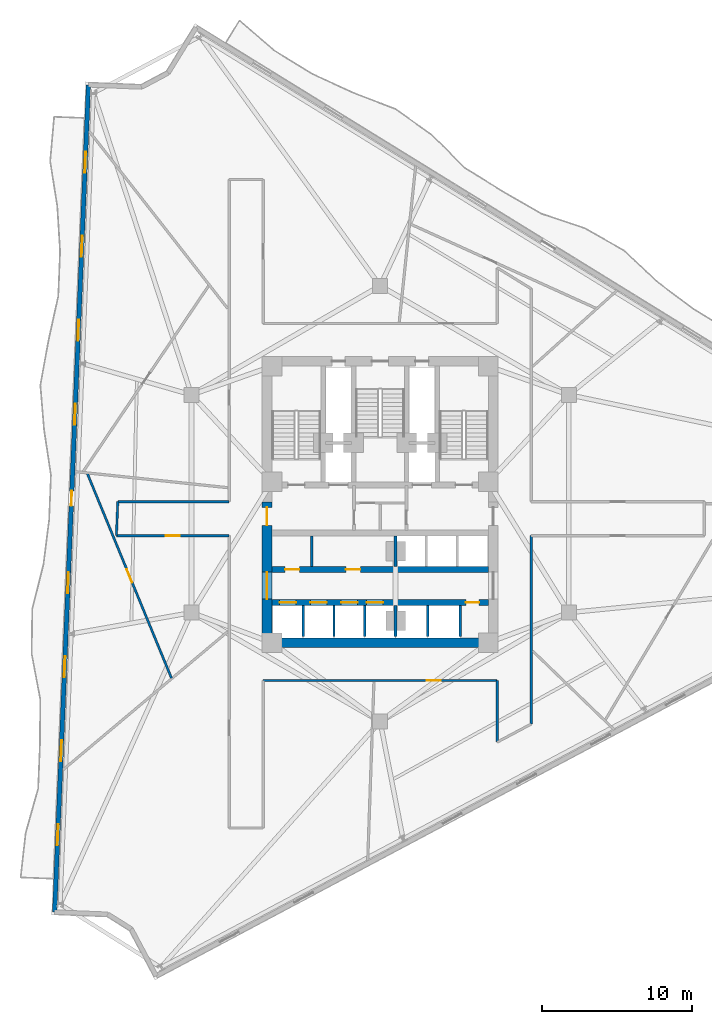
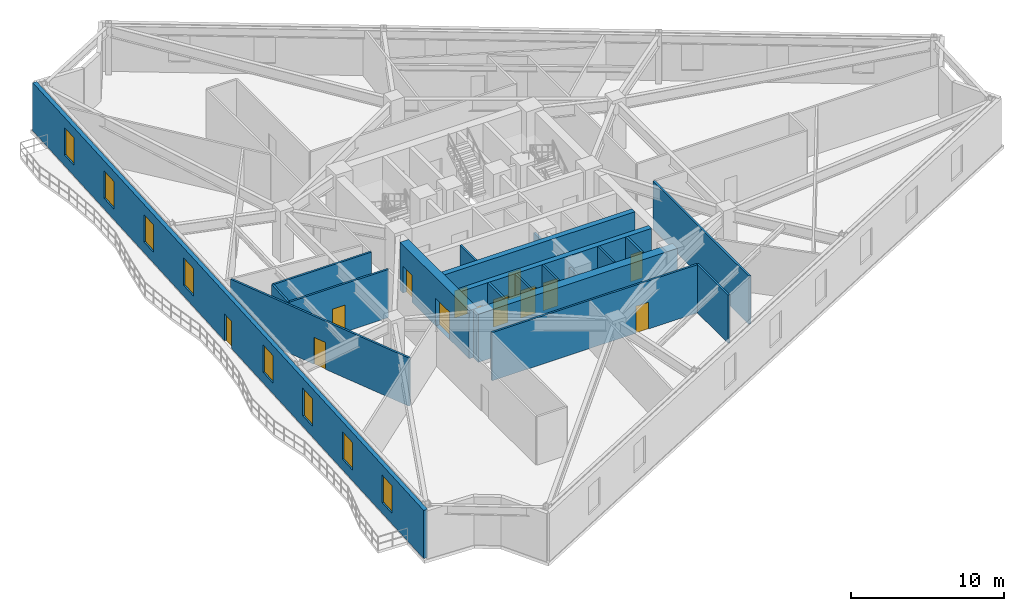
# One storey, part 5 of 10: 20 walls, 13 doors, 8 windows, 21 openings.
"""IFC4 building model written with IfcOpenShell, lengths in metres."""

from ifc_helpers import new_model, si_unit, direction, frame, frame_2d, origin, place, context, subcontext, project, spatial, rectangle, extrude, material, layer, layer_set, type_object, element, fill, save


model = new_model("IFC4")

# Units and contexts
model_context = context("Model", 3, precision=1e-05, world=origin(), true_north=direction((0.0, 1.0)))
body_context = subcontext(model_context, "Body", "Model", "MODEL_VIEW")
ifc_project = project(units=[si_unit("LENGTHUNIT", "METRE"), si_unit("AREAUNIT", "SQUARE_METRE"), si_unit("VOLUMEUNIT", "CUBIC_METRE"), si_unit("PLANEANGLEUNIT", "RADIAN"), si_unit("MASSUNIT", "GRAM", prefix="KILO")], contexts=[model_context])

# Site, building, storey
site_placement = place(None, origin())
site = spatial("IfcSite", under=ifc_project, at=site_placement, CompositionType="ELEMENT")
building_placement = place(site_placement, origin())
building = spatial("IfcBuilding", under=site, at=building_placement, Name="Apsidion Concourse Tower", CompositionType="ELEMENT")
storey_placement = place(building_placement, frame((0.0, 0.0, 177.800048828125)))
storey = spatial("IfcBuildingStorey", under=building, at=storey_placement, Name="L41", CompositionType="ELEMENT", Elevation=177.800048828125)

# Wall, openings, door, windows
ifc_material_1 = material(Name="Precast concrete C40/50", Category="concrete")
ifc_layer_1 = layer(ifc_material_1, 0.300048828125)
ifc_layer_set_1 = layer_set([ifc_layer_1], Name="Precast concrete C40/50")
wall_type_1 = type_object("IfcWallType", Name="WL-EXT-300", PredefinedType="STANDARD", material=ifc_layer_set_1)
wall_1_placement = place(storey_placement, frame((-21.66748046875, -27.184326171875, 0.0), z_axis=(0.0, 0.0, 1.0), x_axis=(0.040813869681, 0.999166766882, 0.0)))
wall_1 = element("IfcWall", 1, at=wall_1_placement, inside=storey, type_object=wall_type_1, Name="L41 Precast Stone Facade Wall 09", PredefinedType="STANDARD", context=body_context, shape_type="SweptSolid", body=[
    extrude(rectangle(XDim=55.1103515625, YDim=0.300048828125, at=frame_2d((27.55517578125, 0.0))), origin(), (0.0, 0.0, 1.0), 3.849853515625),
])
opening_1_placement = place(wall_1_placement, frame((27.055419921875, 0.0, 0.0)))
opening_1 = element("IfcOpeningElement", 2, at=opening_1_placement, cuts=wall_1, Name="Opening D-T1L", PredefinedType="OPENING", context=body_context, shape_type="SweptSolid", body=[
    extrude(rectangle(XDim=1.0, YDim=2.14990234375, at=frame_2d((0.5, 1.074951171875))), frame((0.0, 0.16015625, 0.0), z_axis=(0.0, -1.0, 0.0), x_axis=(1.0, 0.0, 0.0)), (0.0, 0.0, 1.0), 0.320068359375),
])
opening_2_placement = place(wall_1_placement, frame((4.455322265625, 0.0, 0.85009765625)))
opening_2 = element("IfcOpeningElement", 3, at=opening_2_placement, cuts=wall_1, Name="Opening WN-05", PredefinedType="OPENING", context=body_context, shape_type="SweptSolid", body=[
    extrude(rectangle(XDim=1.39990234375, YDim=2.199951171875, at=frame_2d((0.699951171875, 1.10009765625))), frame((0.0, 0.16015625, 0.0), z_axis=(0.0, -1.0, 0.0), x_axis=(1.0, 0.0, 0.0)), (0.0, 0.0, 1.0), 0.320068359375),
])
opening_3_placement = place(wall_1_placement, frame((10.055419921875, 0.0, 0.85009765625)))
opening_3 = element("IfcOpeningElement", 4, at=opening_3_placement, cuts=wall_1, Name="Opening WN-05", PredefinedType="OPENING", context=body_context, shape_type="SweptSolid", body=[
    extrude(rectangle(XDim=1.39990234375, YDim=2.199951171875, at=frame_2d((0.699951171875, 1.10009765625))), frame((0.0, 0.16015625, 0.0), z_axis=(0.0, -1.0, 0.0), x_axis=(1.0, 0.0, 0.0)), (0.0, 0.0, 1.0), 0.320068359375),
])
opening_4_placement = place(wall_1_placement, frame((15.6552734375, 0.0, 0.85009765625)))
opening_4 = element("IfcOpeningElement", 5, at=opening_4_placement, cuts=wall_1, Name="Opening WN-05", PredefinedType="OPENING", context=body_context, shape_type="SweptSolid", body=[
    extrude(rectangle(XDim=1.39990234375, YDim=2.199951171875, at=frame_2d((0.699951171875, 1.10009765625))), frame((0.0, 0.16015625, 0.0), z_axis=(0.0, -1.0, 0.0), x_axis=(1.0, 0.0, 0.0)), (0.0, 0.0, 1.0), 0.320068359375),
])
opening_5_placement = place(wall_1_placement, frame((21.25537109375, 0.0, 0.85009765625)))
opening_5 = element("IfcOpeningElement", 6, at=opening_5_placement, cuts=wall_1, Name="Opening WN-05", PredefinedType="OPENING", context=body_context, shape_type="SweptSolid", body=[
    extrude(rectangle(XDim=1.39990234375, YDim=2.199951171875, at=frame_2d((0.699951171875, 1.10009765625))), frame((0.0, 0.16015625, 0.0), z_axis=(0.0, -1.0, 0.0), x_axis=(1.0, 0.0, 0.0)), (0.0, 0.0, 1.0), 0.320068359375),
])
opening_6_placement = place(wall_1_placement, frame((32.455322265625, 0.0, 0.85009765625)))
opening_6 = element("IfcOpeningElement", 7, at=opening_6_placement, cuts=wall_1, Name="Opening WN-05", PredefinedType="OPENING", context=body_context, shape_type="SweptSolid", body=[
    extrude(rectangle(XDim=1.39990234375, YDim=2.199951171875, at=frame_2d((0.699951171875, 1.10009765625))), frame((0.0, 0.16015625, 0.0), z_axis=(0.0, -1.0, 0.0), x_axis=(1.0, 0.0, 0.0)), (0.0, 0.0, 1.0), 0.320068359375),
])
opening_7_placement = place(wall_1_placement, frame((38.055419921875, 0.0, 0.85009765625)))
opening_7 = element("IfcOpeningElement", 8, at=opening_7_placement, cuts=wall_1, Name="Opening WN-05", PredefinedType="OPENING", context=body_context, shape_type="SweptSolid", body=[
    extrude(rectangle(XDim=1.39990234375, YDim=2.199951171875, at=frame_2d((0.699951171875, 1.10009765625))), frame((0.0, 0.16015625, 0.0), z_axis=(0.0, -1.0, 0.0), x_axis=(1.0, 0.0, 0.0)), (0.0, 0.0, 1.0), 0.320068359375),
])
opening_8_placement = place(wall_1_placement, frame((43.6552734375, 0.0, 0.85009765625)))
opening_8 = element("IfcOpeningElement", 9, at=opening_8_placement, cuts=wall_1, Name="Opening WN-05", PredefinedType="OPENING", context=body_context, shape_type="SweptSolid", body=[
    extrude(rectangle(XDim=1.39990234375, YDim=2.199951171875, at=frame_2d((0.699951171875, 1.10009765625))), frame((0.0, 0.16015625, 0.0), z_axis=(0.0, -1.0, 0.0), x_axis=(1.0, 0.0, 0.0)), (0.0, 0.0, 1.0), 0.320068359375),
])
opening_9_placement = place(wall_1_placement, frame((49.25537109375, 0.0, 0.85009765625)))
opening_9 = element("IfcOpeningElement", 10, at=opening_9_placement, cuts=wall_1, Name="Opening WN-05", PredefinedType="OPENING", context=body_context, shape_type="SweptSolid", body=[
    extrude(rectangle(XDim=1.39990234375, YDim=2.199951171875, at=frame_2d((0.699951171875, 1.10009765625))), frame((0.0, 0.16015625, 0.0), z_axis=(0.0, -1.0, 0.0), x_axis=(1.0, 0.0, 0.0)), (0.0, 0.0, 1.0), 0.320068359375),
])
ifc_material_2 = material(Name="Anodised aluminium EN AW-6063 T6", Category="aluminium")
door_type_1 = type_object("IfcDoorType", Name="DR-TER-1022L", OperationType="SINGLE_SWING_LEFT", PredefinedType="DOOR", material=ifc_material_2)
door_1_placement = place(opening_1_placement, origin())
door_1 = element("IfcDoor", 11, at=door_1_placement, inside=storey, type_object=door_type_1, Name="L41 Balcony Access Door 2", OperationType="SINGLE_SWING_LEFT", OverallHeight=2.14990234375, OverallWidth=1.0, PredefinedType="DOOR", context=body_context, shape_type="SweptSolid", body=[
    extrude(rectangle(XDim=1.0, YDim=2.14990234375, at=frame_2d((0.5, 1.074951171875))), frame((0.0, 0.02490234375, 0.0), z_axis=(0.0, -1.0, 0.0), x_axis=(1.0, 0.0, 0.0)), (0.0, 0.0, 1.0), 0.050048828125),
])
fill(opening_1, door_1)
ifc_material_3 = material(Name="Insulated laminated low-E glass", Category="glass")
window_type = type_object("IfcWindowType", Name="WN-OFF-1424", PartitioningType="SINGLE_PANEL", PredefinedType="WINDOW", material=ifc_material_3)
window_1_placement = place(opening_2_placement, origin())
window_1 = element("IfcWindow", 12, at=window_1_placement, inside=storey, type_object=window_type, Name="L41 Punched Facade Window 9-01", OverallHeight=2.199951171875, OverallWidth=1.39990234375, PartitioningType="SINGLE_PANEL", PredefinedType="WINDOW", context=body_context, shape_type="SweptSolid", body=[
    extrude(rectangle(XDim=1.39990234375, YDim=2.199951171875, at=frame_2d((0.699951171875, 1.10009765625))), frame((0.0, 0.030029296875, 0.0), z_axis=(0.0, -1.0, 0.0), x_axis=(1.0, 0.0, 0.0)), (0.0, 0.0, 1.0), 0.06005859375),
])
fill(opening_2, window_1)
window_2_placement = place(opening_3_placement, origin())
window_2 = element("IfcWindow", 13, at=window_2_placement, inside=storey, type_object=window_type, Name="L41 Punched Facade Window 9-02", OverallHeight=2.199951171875, OverallWidth=1.39990234375, PartitioningType="SINGLE_PANEL", PredefinedType="WINDOW", context=body_context, shape_type="SweptSolid", body=[
    extrude(rectangle(XDim=1.39990234375, YDim=2.199951171875, at=frame_2d((0.699951171875, 1.10009765625))), frame((0.0, 0.030029296875, 0.0), z_axis=(0.0, -1.0, 0.0), x_axis=(1.0, 0.0, 0.0)), (0.0, 0.0, 1.0), 0.06005859375),
])
fill(opening_3, window_2)
window_3_placement = place(opening_4_placement, origin())
window_3 = element("IfcWindow", 14, at=window_3_placement, inside=storey, type_object=window_type, Name="L41 Punched Facade Window 9-03", OverallHeight=2.199951171875, OverallWidth=1.39990234375, PartitioningType="SINGLE_PANEL", PredefinedType="WINDOW", context=body_context, shape_type="SweptSolid", body=[
    extrude(rectangle(XDim=1.39990234375, YDim=2.199951171875, at=frame_2d((0.699951171875, 1.10009765625))), frame((0.0, 0.030029296875, 0.0), z_axis=(0.0, -1.0, 0.0), x_axis=(1.0, 0.0, 0.0)), (0.0, 0.0, 1.0), 0.06005859375),
])
fill(opening_4, window_3)
window_4_placement = place(opening_5_placement, origin())
window_4 = element("IfcWindow", 15, at=window_4_placement, inside=storey, type_object=window_type, Name="L41 Punched Facade Window 9-04", OverallHeight=2.199951171875, OverallWidth=1.39990234375, PartitioningType="SINGLE_PANEL", PredefinedType="WINDOW", context=body_context, shape_type="SweptSolid", body=[
    extrude(rectangle(XDim=1.39990234375, YDim=2.199951171875, at=frame_2d((0.699951171875, 1.10009765625))), frame((0.0, 0.030029296875, 0.0), z_axis=(0.0, -1.0, 0.0), x_axis=(1.0, 0.0, 0.0)), (0.0, 0.0, 1.0), 0.06005859375),
])
fill(opening_5, window_4)
window_5_placement = place(opening_6_placement, origin())
window_5 = element("IfcWindow", 16, at=window_5_placement, inside=storey, type_object=window_type, Name="L41 Punched Facade Window 9-06", OverallHeight=2.199951171875, OverallWidth=1.39990234375, PartitioningType="SINGLE_PANEL", PredefinedType="WINDOW", context=body_context, shape_type="SweptSolid", body=[
    extrude(rectangle(XDim=1.39990234375, YDim=2.199951171875, at=frame_2d((0.699951171875, 1.10009765625))), frame((0.0, 0.030029296875, 0.0), z_axis=(0.0, -1.0, 0.0), x_axis=(1.0, 0.0, 0.0)), (0.0, 0.0, 1.0), 0.06005859375),
])
fill(opening_6, window_5)
window_6_placement = place(opening_7_placement, origin())
window_6 = element("IfcWindow", 17, at=window_6_placement, inside=storey, type_object=window_type, Name="L41 Punched Facade Window 9-07", OverallHeight=2.199951171875, OverallWidth=1.39990234375, PartitioningType="SINGLE_PANEL", PredefinedType="WINDOW", context=body_context, shape_type="SweptSolid", body=[
    extrude(rectangle(XDim=1.39990234375, YDim=2.199951171875, at=frame_2d((0.699951171875, 1.10009765625))), frame((0.0, 0.030029296875, 0.0), z_axis=(0.0, -1.0, 0.0), x_axis=(1.0, 0.0, 0.0)), (0.0, 0.0, 1.0), 0.06005859375),
])
fill(opening_7, window_6)
window_7_placement = place(opening_8_placement, origin())
window_7 = element("IfcWindow", 18, at=window_7_placement, inside=storey, type_object=window_type, Name="L41 Punched Facade Window 9-08", OverallHeight=2.199951171875, OverallWidth=1.39990234375, PartitioningType="SINGLE_PANEL", PredefinedType="WINDOW", context=body_context, shape_type="SweptSolid", body=[
    extrude(rectangle(XDim=1.39990234375, YDim=2.199951171875, at=frame_2d((0.699951171875, 1.10009765625))), frame((0.0, 0.030029296875, 0.0), z_axis=(0.0, -1.0, 0.0), x_axis=(1.0, 0.0, 0.0)), (0.0, 0.0, 1.0), 0.06005859375),
])
fill(opening_8, window_7)
window_8_placement = place(opening_9_placement, origin())
window_8 = element("IfcWindow", 19, at=window_8_placement, inside=storey, type_object=window_type, Name="L41 Punched Facade Window 9-09", OverallHeight=2.199951171875, OverallWidth=1.39990234375, PartitioningType="SINGLE_PANEL", PredefinedType="WINDOW", context=body_context, shape_type="SweptSolid", body=[
    extrude(rectangle(XDim=1.39990234375, YDim=2.199951171875, at=frame_2d((0.699951171875, 1.10009765625))), frame((0.0, 0.030029296875, 0.0), z_axis=(0.0, -1.0, 0.0), x_axis=(1.0, 0.0, 0.0)), (0.0, 0.0, 1.0), 0.06005859375),
])
fill(opening_9, window_8)

# Walls
ifc_material_4 = material(Name="Gypsum plasterboard partition")
ifc_layer_2 = layer(ifc_material_4, 0.14990234375)
ifc_layer_set_2 = layer_set([ifc_layer_2], Name="Gypsum plasterboard partition")
wall_type_2 = type_object("IfcWallType", Name="WL-INT-PAR-150", PredefinedType="PARTITIONING", material=ifc_layer_set_2)
wall_2_placement = place(storey_placement, frame((-4.550048828125, -4.179931640625, 0.0), z_axis=(0.0, 0.0, 1.0), x_axis=(0.0, 1.0, 0.0)))
element("IfcWall", 20, at=wall_2_placement, inside=storey, type_object=wall_type_2, Name="L41 Interior Partition WL-L41-B1RV1", PredefinedType="PARTITIONING", context=body_context, shape_type="SweptSolid", body=[
    extrude(rectangle(XDim=2.030029296875, YDim=0.14990234375, at=frame_2d((1.01513671875, 0.0))), origin(), (0.0, 0.0, 1.0), 3.849853515625),
])
for number, where, z_axis, x_axis, name in (
    (21, (-5.125, -8.85009765625, 0.0), (0.0, 0.0, 1.0), (0.0, 1.0, 0.0), "L41 Interior Partition WL-L41-B2DIV-1"),
    (22, (-3.074951171875, -8.85009765625, 0.0), (0.0, 0.0, 1.0), (0.0, 1.0, 0.0), "L41 Interior Partition WL-L41-B2DIV-2"),
    (23, (-1.02490234375, -8.85009765625, 0.0), (0.0, 0.0, 1.0), (0.0, 1.0, 0.0), "L41 Interior Partition WL-L41-B2DIV-3"),
    (24, (3.175048828125, -8.85009765625, 0.0), (0.0, 0.0, 1.0), (0.0, 1.0, 0.0), "L41 Interior Partition WL-L41-SHDIV-1"),
):
    element("IfcWall", number, at=place(storey_placement, frame(where, z_axis=z_axis, x_axis=x_axis)), inside=storey, type_object=wall_type_2, Name=name, PredefinedType="PARTITIONING", context=body_context, shape_type="SweptSolid", body=[
        extrude(rectangle(XDim=2.080078125, YDim=0.14990234375, at=frame_2d((1.0400390625, 0.0))), origin(), (0.0, 0.0, 1.0), 3.849853515625),
    ])
wall_3_placement = place(storey_placement, frame((7.7900390625, -15.87060546875, 0.0), z_axis=(0.0, 0.0, 1.0), x_axis=(0.0, 1.0, 0.0)))
element("IfcWall", 25, at=wall_3_placement, inside=storey, type_object=wall_type_2, Name="L41 Interior Partition WL-L41-CORR-02", PredefinedType="PARTITIONING", context=body_context, shape_type="SweptSolid", body=[
    extrude(rectangle(XDim=4.095703125, YDim=0.14990234375, at=frame_2d((2.0478515625, 0.0))), origin(), (0.0, 0.0, 1.0), 3.849853515625),
])

# Wall, opening, door
wall_4_placement = place(storey_placement, frame((7.7900390625, -11.77490234375, 0.0), z_axis=(0.0, 0.0, 1.0), x_axis=(-1.0, 0.0, 0.0)))
wall_4 = element("IfcWall", 26, at=wall_4_placement, inside=storey, type_object=wall_type_2, Name="L41 Interior Partition WL-L41-CORR-03", PredefinedType="PARTITIONING", context=body_context, shape_type="SweptSolid", body=[
    extrude(rectangle(XDim=15.580078125, YDim=0.14990234375, at=frame_2d((7.7900390625, 0.0))), origin(), (0.0, 0.0, 1.0), 3.849853515625),
])
opening_10_placement = place(wall_4_placement, frame((3.7548828125, 0.0, 0.0)))
opening_10 = element("IfcOpeningElement", 27, at=opening_10_placement, cuts=wall_4, Name="Opening D-01L", PredefinedType="OPENING", context=body_context, shape_type="SweptSolid", body=[
    extrude(rectangle(XDim=0.949951171875, YDim=2.14990234375, at=frame_2d((0.47509765625, 1.074951171875))), frame((0.0, 0.0849609375, 0.0), z_axis=(0.0, -1.0, 0.0), x_axis=(1.0, 0.0, 0.0)), (0.0, 0.0, 1.0), 0.169921875),
])
ifc_material_5 = material(Name="Brushed stainless steel 316", Category="steel")
door_type_2 = type_object("IfcDoorType", Name="DR-INT-D01L", OperationType="SINGLE_SWING_LEFT", PredefinedType="DOOR", material=ifc_material_5)
door_2_placement = place(opening_10_placement, origin())
door_2 = element("IfcDoor", 28, at=door_2_placement, inside=storey, type_object=door_type_2, Name="L41 Corridor Entry Door 03", OperationType="SINGLE_SWING_LEFT", OverallHeight=2.14990234375, OverallWidth=0.949951171875, PredefinedType="DOOR", context=body_context, shape_type="SweptSolid", body=[
    extrude(rectangle(XDim=0.949951171875, YDim=2.14990234375, at=frame_2d((0.47509765625, 1.074951171875))), frame((0.0, 0.02490234375, 0.0), z_axis=(0.0, -1.0, 0.0), x_axis=(1.0, 0.0, 0.0)), (0.0, 0.0, 1.0), 0.050048828125),
])
fill(opening_10, door_2)

wall_5_placement = place(storey_placement, frame((-10.050048828125, -2.1298828125, 0.0), z_axis=(0.0, 0.0, 1.0), x_axis=(-1.0, 0.0, 0.0)))
wall_5 = element("IfcWall", 29, at=wall_5_placement, inside=storey, type_object=wall_type_2, Name="L41 Interior Partition WL-L41-CORR-07", PredefinedType="PARTITIONING", context=body_context, shape_type="SweptSolid", body=[
    extrude(rectangle(XDim=7.50634765625, YDim=0.14990234375, at=frame_2d((3.753173828125, 0.0))), origin(), (0.0, 0.0, 1.0), 3.849853515625),
])
opening_11_placement = place(wall_5_placement, frame((3.2783203125, 0.0, 0.0)))
opening_11 = element("IfcOpeningElement", 30, at=opening_11_placement, cuts=wall_5, Name="Opening D-01L", PredefinedType="OPENING", context=body_context, shape_type="SweptSolid", body=[
    extrude(rectangle(XDim=0.949951171875, YDim=2.14990234375, at=frame_2d((0.47509765625, 1.074951171875))), frame((0.0, 0.0849609375, 0.0), z_axis=(0.0, -1.0, 0.0), x_axis=(1.0, 0.0, 0.0)), (0.0, 0.0, 1.0), 0.169921875),
])
door_3_placement = place(opening_11_placement, origin())
door_3 = element("IfcDoor", 31, at=door_3_placement, inside=storey, type_object=door_type_2, Name="L41 Corridor Entry Door 01", OperationType="SINGLE_SWING_LEFT", OverallHeight=2.14990234375, OverallWidth=0.949951171875, PredefinedType="DOOR", context=body_context, shape_type="SweptSolid", body=[
    extrude(rectangle(XDim=0.949951171875, YDim=2.14990234375, at=frame_2d((0.47509765625, 1.074951171875))), frame((0.0, 0.02490234375, 0.0), z_axis=(0.0, -1.0, 0.0), x_axis=(1.0, 0.0, 0.0)), (0.0, 0.0, 1.0), 0.050048828125),
])
fill(opening_11, door_3)

# Walls
wall_6_placement = place(storey_placement, frame((-17.556396484375, -2.1298828125, 0.0), z_axis=(0.0, 0.0, 1.0), x_axis=(0.040804363078, 0.999167155162, 0.0)))
element("IfcWall", 32, at=wall_6_placement, inside=storey, type_object=wall_type_2, Name="L41 Interior Partition WL-L41-CORR-08", PredefinedType="PARTITIONING", context=body_context, shape_type="SweptSolid", body=[
    extrude(rectangle(XDim=2.26171875, YDim=0.14990234375, at=frame_2d((1.130859375, 0.0))), origin(), (0.0, 0.0, 1.0), 3.849853515625),
])
wall_7_placement = place(storey_placement, frame((-17.464111328125, 0.1298828125, 0.0), z_axis=(0.0, 0.0, 1.0), x_axis=(1.0, 0.0, 0.0)))
element("IfcWall", 33, at=wall_7_placement, inside=storey, type_object=wall_type_2, Name="L41 Interior Partition WL-L41-CORR-09", PredefinedType="PARTITIONING", context=body_context, shape_type="SweptSolid", body=[
    extrude(rectangle(XDim=7.4140625, YDim=0.14990234375, at=frame_2d((3.70703125, 0.0))), origin(), (0.0, 0.0, 1.0), 3.849853515625),
])
wall_8_placement = place(storey_placement, frame((10.050048828125, -2.1298828125, 0.0), z_axis=(0.0, 0.0, 1.0), x_axis=(0.0, -1.0, 0.0)))
element("IfcWall", 34, at=wall_8_placement, inside=storey, type_object=wall_type_2, Name="L41 Interior Partition WL-L41-CORR-20", PredefinedType="PARTITIONING", context=body_context, shape_type="SweptSolid", body=[
    extrude(rectangle(XDim=12.5390625, YDim=0.14990234375, at=frame_2d((6.26953125, 0.0))), origin(), (0.0, 0.0, 1.0), 3.849853515625),
])

# Wall, opening, door
wall_9_placement = place(storey_placement, frame((-19.499267578125, 2.0244140625, 0.0), z_axis=(0.0, 0.0, 1.0), x_axis=(0.380386065198, -0.924827790133, 0.0)))
wall_9 = element("IfcWall", 35, at=wall_9_placement, inside=storey, type_object=wall_type_2, Name="L41 Interior Partition WL-L41-CHD-OFWC", PredefinedType="PARTITIONING", context=body_context, shape_type="SweptSolid", body=[
    extrude(rectangle(XDim=14.753662109375, YDim=0.14990234375, at=frame_2d((7.376953125, 0.0))), origin(), (0.0, 0.0, 1.0), 3.849853515625),
])
opening_12_placement = place(wall_9_placement, frame((6.90185546875, 0.0, 0.0)))
opening_12 = element("IfcOpeningElement", 36, at=opening_12_placement, cuts=wall_9, Name="Opening D-04L", PredefinedType="OPENING", context=body_context, shape_type="SweptSolid", body=[
    extrude(rectangle(XDim=0.949951171875, YDim=2.14990234375, at=frame_2d((0.47509765625, 1.074951171875))), frame((0.0, 0.0849609375, 0.0), z_axis=(0.0, -1.0, 0.0), x_axis=(1.0, 0.0, 0.0)), (0.0, 0.0, 1.0), 0.169921875),
])
door_type_3 = type_object("IfcDoorType", Name="DR-INT-D04L", OperationType="SINGLE_SWING_LEFT", PredefinedType="DOOR", material=ifc_material_5)
door_4_placement = place(opening_12_placement, origin())
door_4 = element("IfcDoor", 37, at=door_4_placement, inside=storey, type_object=door_type_3, Name="L41 Suite Connecting Door OFWC", OperationType="SINGLE_SWING_LEFT", OverallHeight=2.14990234375, OverallWidth=0.949951171875, PredefinedType="DOOR", context=body_context, shape_type="SweptSolid", body=[
    extrude(rectangle(XDim=0.949951171875, YDim=2.14990234375, at=frame_2d((0.47509765625, 1.074951171875))), frame((0.0, 0.02490234375, 0.0), z_axis=(0.0, -1.0, 0.0), x_axis=(1.0, 0.0, 0.0)), (0.0, 0.0, 1.0), 0.050048828125),
])
fill(opening_12, door_4)

# Walls
ifc_layer_3 = layer(ifc_material_4, 0.179931640625)
ifc_layer_set_3 = layer_set([ifc_layer_3], Name="Gypsum plasterboard partition")
wall_type_3 = type_object("IfcWallType", Name="WL-INT-PAR-180", PredefinedType="PARTITIONING", material=ifc_layer_set_3)
wall_10_placement = place(storey_placement, frame((1.02490234375, -4.179931640625, 0.0), z_axis=(0.0, 0.0, 1.0), x_axis=(0.0, 1.0, 0.0)))
element("IfcWall", 38, at=wall_10_placement, inside=storey, type_object=wall_type_3, Name="L41 Interior Partition WL-L41-B1END", PredefinedType="PARTITIONING", context=body_context, shape_type="SweptSolid", body=[
    extrude(rectangle(XDim=2.030029296875, YDim=0.179931640625, at=frame_2d((1.01513671875, 0.0))), origin(), (0.0, 0.0, 1.0), 2.89794921875),
])
wall_11_placement = place(storey_placement, frame((1.02490234375, -8.85009765625, 0.0), z_axis=(0.0, 0.0, 1.0), x_axis=(0.0, 1.0, 0.0)))
element("IfcWall", 39, at=wall_11_placement, inside=storey, type_object=wall_type_3, Name="L41 Interior Partition WL-L41-B2END", PredefinedType="PARTITIONING", context=body_context, shape_type="SweptSolid", body=[
    extrude(rectangle(XDim=2.080078125, YDim=0.179931640625, at=frame_2d((1.0400390625, 0.0))), origin(), (0.0, 0.0, 1.0), 2.89794921875),
])
wall_12_placement = place(storey_placement, frame((5.324951171875, -8.85009765625, 0.0), z_axis=(0.0, 0.0, 1.0), x_axis=(0.0, 1.0, 0.0)))
element("IfcWall", 40, at=wall_12_placement, inside=storey, type_object=wall_type_3, Name="L41 Interior Partition WL-L41-SHDIV-2", PredefinedType="PARTITIONING", context=body_context, shape_type="SweptSolid", body=[
    extrude(rectangle(XDim=2.080078125, YDim=0.179931640625, at=frame_2d((1.0400390625, 0.0))), origin(), (0.0, 0.0, 1.0), 3.849853515625),
])

# Wall, openings, doors
ifc_material_6 = material(Name="Concrete C50/60", Category="concrete")
ifc_layer_4 = layer(ifc_material_6, 0.39990234375)
ifc_layer_set_4 = layer_set([ifc_layer_4], Name="Concrete C50/60")
wall_type_4 = type_object("IfcWallType", Name="WL-SH-400", PredefinedType="SHEAR", material=ifc_layer_set_4)
wall_13_placement = place(storey_placement, frame((-7.199951171875, -4.3798828125, 0.0), z_axis=(0.0, 0.0, 1.0), x_axis=(1.0, 0.0, 0.0)))
wall_13 = element("IfcWall", 41, at=wall_13_placement, inside=storey, type_object=wall_type_4, Name="L41 Central Core Shear Wall LA", PredefinedType="SHEAR", context=body_context, shape_type="SweptSolid", body=[
    extrude(rectangle(XDim=14.39990234375, YDim=0.39990234375, at=frame_2d((7.199951171875, 0.0))), origin(), (0.0, 0.0, 1.0), 3.849853515625),
])
opening_13_placement = place(wall_13_placement, frame((0.875, 0.0, 0.0)))
opening_13 = element("IfcOpeningElement", 42, at=opening_13_placement, cuts=wall_13, Name="Opening D-04L", PredefinedType="OPENING", context=body_context, shape_type="SweptSolid", body=[
    extrude(rectangle(XDim=0.949951171875, YDim=2.14990234375, at=frame_2d((0.47509765625, 1.074951171875))), frame((0.0, 0.2099609375, 0.0), z_axis=(0.0, -1.0, 0.0), x_axis=(1.0, 0.0, 0.0)), (0.0, 0.0, 1.0), 0.419921875),
])
opening_14_placement = place(wall_13_placement, frame((4.925048828125, 0.0, 0.0)))
opening_14 = element("IfcOpeningElement", 43, at=opening_14_placement, cuts=wall_13, Name="Opening D-04R", PredefinedType="OPENING", context=body_context, shape_type="SweptSolid", body=[
    extrude(rectangle(XDim=0.949951171875, YDim=2.14990234375, at=frame_2d((0.47509765625, 1.074951171875))), frame((0.0, 0.2099609375, 0.0), z_axis=(0.0, -1.0, 0.0), x_axis=(1.0, 0.0, 0.0)), (0.0, 0.0, 1.0), 0.419921875),
])
door_5_placement = place(opening_13_placement, origin())
door_5 = element("IfcDoor", 44, at=door_5_placement, inside=storey, type_object=door_type_3, Name="L41 Core Supply Store Door", OperationType="SINGLE_SWING_LEFT", OverallHeight=2.14990234375, OverallWidth=0.949951171875, PredefinedType="DOOR", context=body_context, shape_type="SweptSolid", body=[
    extrude(rectangle(XDim=0.949951171875, YDim=2.14990234375, at=frame_2d((0.47509765625, 1.074951171875))), frame((0.0, 0.02490234375, 0.0), z_axis=(0.0, -1.0, 0.0), x_axis=(1.0, 0.0, 0.0)), (0.0, 0.0, 1.0), 0.050048828125),
])
fill(opening_13, door_5)
door_type_4 = type_object("IfcDoorType", Name="DR-INT-D04R", OperationType="SINGLE_SWING_RIGHT", PredefinedType="DOOR", material=ifc_material_5)
door_6_placement = place(opening_14_placement, origin())
door_6 = element("IfcDoor", 45, at=door_6_placement, inside=storey, type_object=door_type_4, Name="L41 Core Data and Print Room Door", OperationType="SINGLE_SWING_RIGHT", OverallHeight=2.14990234375, OverallWidth=0.949951171875, PredefinedType="DOOR", context=body_context, shape_type="SweptSolid", body=[
    extrude(rectangle(XDim=0.949951171875, YDim=2.14990234375, at=frame_2d((0.47509765625, 1.074951171875))), frame((0.0, 0.02490234375, 0.0), z_axis=(0.0, -1.0, 0.0), x_axis=(1.0, 0.0, 0.0)), (0.0, 0.0, 1.0), 0.050048828125),
])
fill(opening_14, door_6)

wall_14_placement = place(storey_placement, frame((-7.199951171875, -6.570068359375, 0.0), z_axis=(0.0, 0.0, 1.0), x_axis=(1.0, 0.0, 0.0)))
wall_14 = element("IfcWall", 46, at=wall_14_placement, inside=storey, type_object=wall_type_4, Name="L41 Central Core Shear Wall LB", PredefinedType="SHEAR", context=body_context, shape_type="SweptSolid", body=[
    extrude(rectangle(XDim=14.39990234375, YDim=0.39990234375, at=frame_2d((7.199951171875, 0.0))), origin(), (0.0, 0.0, 1.0), 3.849853515625),
])
opening_15_placement = place(wall_14_placement, frame((0.5, 0.0, 0.0)))
opening_15 = element("IfcOpeningElement", 47, at=opening_15_placement, cuts=wall_14, Name="Opening LD-P1", PredefinedType="OPENING", context=body_context, shape_type="SweptSolid", body=[
    extrude(rectangle(XDim=1.10009765625, YDim=2.199951171875, at=frame_2d((0.550048828125, 1.10009765625))), frame((0.0, 0.2099609375, 0.0), z_axis=(0.0, -1.0, 0.0), x_axis=(1.0, 0.0, 0.0)), (0.0, 0.0, 1.0), 0.419921875),
])
opening_16_placement = place(wall_14_placement, frame((2.550048828125, 0.0, 0.0)))
opening_16 = element("IfcOpeningElement", 48, at=opening_16_placement, cuts=wall_14, Name="Opening LD-P1", PredefinedType="OPENING", context=body_context, shape_type="SweptSolid", body=[
    extrude(rectangle(XDim=1.10009765625, YDim=2.199951171875, at=frame_2d((0.550048828125, 1.10009765625))), frame((0.0, 0.2099609375, 0.0), z_axis=(0.0, -1.0, 0.0), x_axis=(1.0, 0.0, 0.0)), (0.0, 0.0, 1.0), 0.419921875),
])
opening_17_placement = place(wall_14_placement, frame((4.60009765625, 0.0, 0.0)))
opening_17 = element("IfcOpeningElement", 49, at=opening_17_placement, cuts=wall_14, Name="Opening LD-P1", PredefinedType="OPENING", context=body_context, shape_type="SweptSolid", body=[
    extrude(rectangle(XDim=1.10009765625, YDim=2.199951171875, at=frame_2d((0.550048828125, 1.10009765625))), frame((0.0, 0.2099609375, 0.0), z_axis=(0.0, -1.0, 0.0), x_axis=(1.0, 0.0, 0.0)), (0.0, 0.0, 1.0), 0.419921875),
])
opening_18_placement = place(wall_14_placement, frame((6.300048828125, 0.0, 0.0)))
opening_18 = element("IfcOpeningElement", 50, at=opening_18_placement, cuts=wall_14, Name="Opening LD-P1", PredefinedType="OPENING", context=body_context, shape_type="SweptSolid", body=[
    extrude(rectangle(XDim=1.10009765625, YDim=2.199951171875, at=frame_2d((0.550048828125, 1.10009765625))), frame((0.0, 0.2099609375, 0.0), z_axis=(0.0, -1.0, 0.0), x_axis=(1.0, 0.0, 0.0)), (0.0, 0.0, 1.0), 0.419921875),
])
opening_19_placement = place(wall_14_placement, frame((12.909912109375, 0.0, 0.0)))
opening_19 = element("IfcOpeningElement", 51, at=opening_19_placement, cuts=wall_14, Name="Opening D-05L", PredefinedType="OPENING", context=body_context, shape_type="SweptSolid", body=[
    extrude(rectangle(XDim=0.8798828125, YDim=2.14990234375, at=frame_2d((0.43994140625, 1.074951171875))), frame((0.0, 0.2099609375, 0.0), z_axis=(0.0, -1.0, 0.0), x_axis=(1.0, 0.0, 0.0)), (0.0, 0.0, 1.0), 0.419921875),
])
door_type_5 = type_object("IfcDoorType", Name="DR-INT-D05L", OperationType="SINGLE_SWING_LEFT", PredefinedType="DOOR", material=ifc_material_5)
door_7_placement = place(opening_19_placement, origin())
door_7 = element("IfcDoor", 52, at=door_7_placement, inside=storey, type_object=door_type_5, Name="L41 Cleaners Store Door", OperationType="SINGLE_SWING_LEFT", OverallHeight=2.14990234375, OverallWidth=0.8798828125, PredefinedType="DOOR", context=body_context, shape_type="SweptSolid", body=[
    extrude(rectangle(XDim=0.8798828125, YDim=2.14990234375, at=frame_2d((0.43994140625, 1.074951171875))), frame((0.0, 0.02490234375, 0.0), z_axis=(0.0, -1.0, 0.0), x_axis=(1.0, 0.0, 0.0)), (0.0, 0.0, 1.0), 0.050048828125),
])
fill(opening_19, door_7)
door_type_6 = type_object("IfcDoorType", Name="DR-LD-PASS", OperationType="DOUBLE_DOOR_SLIDING", PredefinedType="DOOR", material=ifc_material_5)
door_8_placement = place(opening_15_placement, origin())
door_8 = element("IfcDoor", 53, at=door_8_placement, inside=storey, type_object=door_type_6, Name="L41 Lift Landing Door P5", OperationType="DOUBLE_DOOR_SLIDING", OverallHeight=2.199951171875, OverallWidth=1.10009765625, PredefinedType="DOOR", context=body_context, shape_type="SweptSolid", body=[
    extrude(rectangle(XDim=1.10009765625, YDim=2.199951171875, at=frame_2d((0.550048828125, 1.10009765625))), frame((0.0, 0.02490234375, 0.0), z_axis=(0.0, -1.0, 0.0), x_axis=(1.0, 0.0, 0.0)), (0.0, 0.0, 1.0), 0.050048828125),
])
fill(opening_15, door_8)
door_9_placement = place(opening_16_placement, origin())
door_9 = element("IfcDoor", 54, at=door_9_placement, inside=storey, type_object=door_type_6, Name="L41 Lift Landing Door P6", OperationType="DOUBLE_DOOR_SLIDING", OverallHeight=2.199951171875, OverallWidth=1.10009765625, PredefinedType="DOOR", context=body_context, shape_type="SweptSolid", body=[
    extrude(rectangle(XDim=1.10009765625, YDim=2.199951171875, at=frame_2d((0.550048828125, 1.10009765625))), frame((0.0, 0.02490234375, 0.0), z_axis=(0.0, -1.0, 0.0), x_axis=(1.0, 0.0, 0.0)), (0.0, 0.0, 1.0), 0.050048828125),
])
fill(opening_16, door_9)
door_10_placement = place(opening_17_placement, origin())
door_10 = element("IfcDoor", 55, at=door_10_placement, inside=storey, type_object=door_type_6, Name="L41 Lift Landing Door P7", OperationType="DOUBLE_DOOR_SLIDING", OverallHeight=2.199951171875, OverallWidth=1.10009765625, PredefinedType="DOOR", context=body_context, shape_type="SweptSolid", body=[
    extrude(rectangle(XDim=1.10009765625, YDim=2.199951171875, at=frame_2d((0.550048828125, 1.10009765625))), frame((0.0, 0.02490234375, 0.0), z_axis=(0.0, -1.0, 0.0), x_axis=(1.0, 0.0, 0.0)), (0.0, 0.0, 1.0), 0.050048828125),
])
fill(opening_17, door_10)
door_11_placement = place(opening_18_placement, origin())
door_11 = element("IfcDoor", 56, at=door_11_placement, inside=storey, type_object=door_type_6, Name="L41 Lift Landing Door P8", OperationType="DOUBLE_DOOR_SLIDING", OverallHeight=2.199951171875, OverallWidth=1.10009765625, PredefinedType="DOOR", context=body_context, shape_type="SweptSolid", body=[
    extrude(rectangle(XDim=1.10009765625, YDim=2.199951171875, at=frame_2d((0.550048828125, 1.10009765625))), frame((0.0, 0.02490234375, 0.0), z_axis=(0.0, -1.0, 0.0), x_axis=(1.0, 0.0, 0.0)), (0.0, 0.0, 1.0), 0.050048828125),
])
fill(opening_18, door_11)

ifc_layer_5 = layer(ifc_material_6, 0.64990234375)
ifc_layer_set_5 = layer_set([ifc_layer_5], Name="Concrete C50/60")
wall_type_5 = type_object("IfcWallType", Name="WL-SH-650", PredefinedType="SHEAR", material=ifc_layer_set_5)
wall_15_placement = place(storey_placement, frame((-7.52490234375, -8.925048828125, 0.0), z_axis=(0.0, 0.0, 1.0), x_axis=(0.0, 1.0, 0.0)))
wall_15 = element("IfcWall", 57, at=wall_15_placement, inside=storey, type_object=wall_type_5, Name="L41 Central Core Shear Wall WS", PredefinedType="SHEAR", context=body_context, shape_type="SweptSolid", body=[
    extrude(rectangle(XDim=9.025146484375, YDim=0.64990234375, at=frame_2d((4.5126953125, 0.0))), origin(), (0.0, 0.0, 1.0), 3.849853515625),
])
opening_20_placement = place(wall_15_placement, frame((2.56494140625, 0.0, 0.0)))
opening_20 = element("IfcOpeningElement", 58, at=opening_20_placement, cuts=wall_15, Name="Opening D-06D", PredefinedType="OPENING", context=body_context, shape_type="SweptSolid", body=[
    extrude(rectangle(XDim=1.800048828125, YDim=2.199951171875, at=frame_2d((0.89990234375, 1.10009765625))), frame((0.0, 0.3349609375, 0.0), z_axis=(0.0, -1.0, 0.0), x_axis=(1.0, 0.0, 0.0)), (0.0, 0.0, 1.0), 0.669921875),
])
opening_21_placement = place(wall_15_placement, frame((7.47509765625, 0.0, 0.0)))
opening_21 = element("IfcOpeningElement", 59, at=opening_21_placement, cuts=wall_15, Name="Opening D-FFL", PredefinedType="OPENING", context=body_context, shape_type="SweptSolid", body=[
    extrude(rectangle(XDim=1.199951171875, YDim=2.14990234375, at=frame_2d((0.60009765625, 1.074951171875))), frame((0.0, 0.3349609375, 0.0), z_axis=(0.0, -1.0, 0.0), x_axis=(1.0, 0.0, 0.0)), (0.0, 0.0, 1.0), 0.669921875),
])
door_type_7 = type_object("IfcDoorType", Name="DR-INT-D06D", OperationType="DOUBLE_DOOR_SINGLE_SWING", PredefinedType="DOOR", material=ifc_material_5)
door_12_placement = place(opening_20_placement, origin())
door_12 = element("IfcDoor", 60, at=door_12_placement, inside=storey, type_object=door_type_7, Name="L41 Passenger Lift Lobby WS Portal Door", OperationType="DOUBLE_DOOR_SINGLE_SWING", OverallHeight=2.199951171875, OverallWidth=1.800048828125, PredefinedType="DOOR", context=body_context, shape_type="SweptSolid", body=[
    extrude(rectangle(XDim=1.800048828125, YDim=2.199951171875, at=frame_2d((0.89990234375, 1.10009765625))), frame((0.0, 0.02490234375, 0.0), z_axis=(0.0, -1.0, 0.0), x_axis=(1.0, 0.0, 0.0)), (0.0, 0.0, 1.0), 0.050048828125),
])
fill(opening_20, door_12)
door_type_8 = type_object("IfcDoorType", Name="DR-INT-FFL", OperationType="SINGLE_SWING_LEFT", PredefinedType="DOOR", material=ifc_material_5)
door_13_placement = place(opening_21_placement, origin())
door_13 = element("IfcDoor", 61, at=door_13_placement, inside=storey, type_object=door_type_8, Name="L41 Firefighting Lift Lobby FF1 Door", OperationType="SINGLE_SWING_LEFT", OverallHeight=2.14990234375, OverallWidth=1.199951171875, PredefinedType="DOOR", context=body_context, shape_type="SweptSolid", body=[
    extrude(rectangle(XDim=1.199951171875, YDim=2.14990234375, at=frame_2d((0.60009765625, 1.074951171875))), frame((0.0, 0.02490234375, 0.0), z_axis=(0.0, -1.0, 0.0), x_axis=(1.0, 0.0, 0.0)), (0.0, 0.0, 1.0), 0.050048828125),
])
fill(opening_21, door_13)

# Wall
wall_16_placement = place(storey_placement, frame((-7.52490234375, -9.25, 0.0), z_axis=(0.0, 0.0, 1.0), x_axis=(1.0, 0.0, 0.0)))
element("IfcWall", 62, at=wall_16_placement, inside=storey, type_object=wall_type_5, Name="L41 Central Core Shear Wall S", PredefinedType="SHEAR", context=body_context, shape_type="SweptSolid", body=[
    extrude(rectangle(XDim=15.0498046875, YDim=0.64990234375, at=frame_2d((7.52490234375, 0.0))), origin(), (0.0, 0.0, 1.0), 3.849853515625),
])

save(model, "model.ifc")
